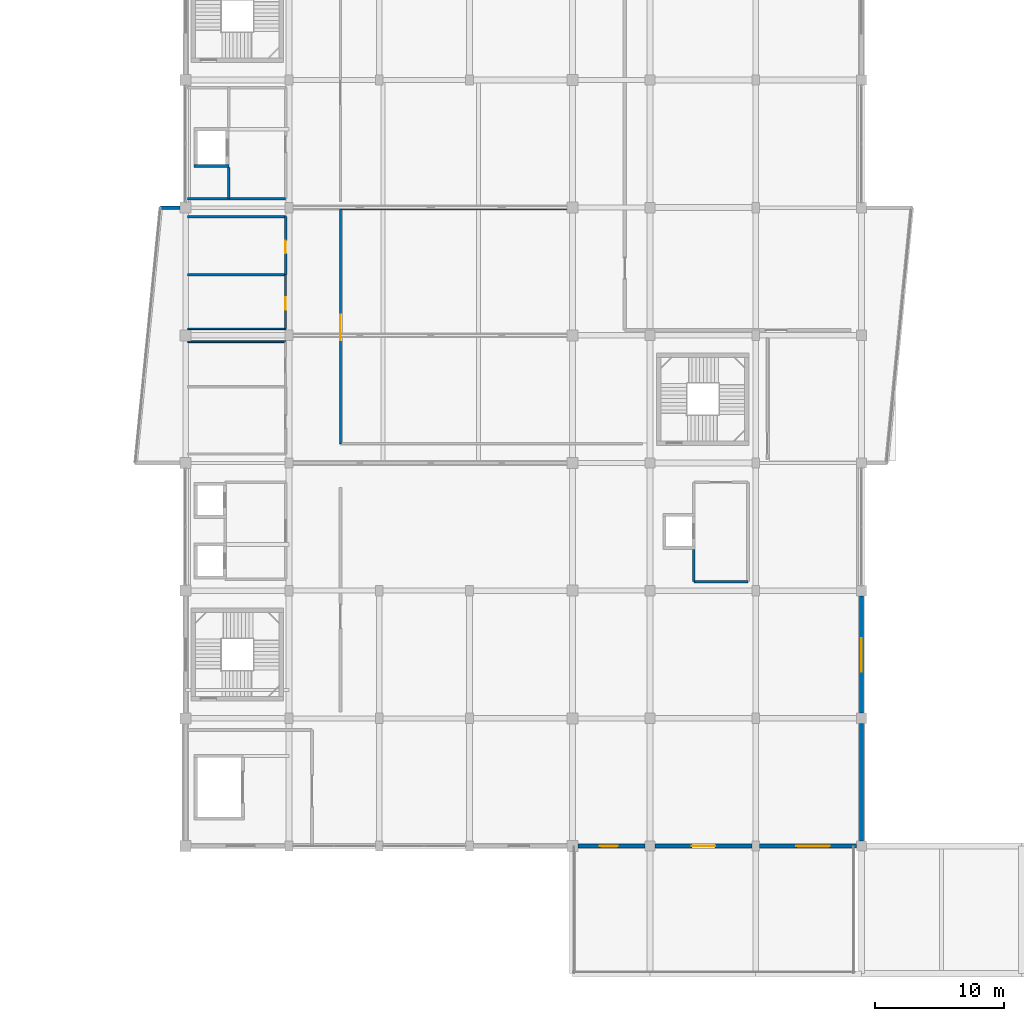
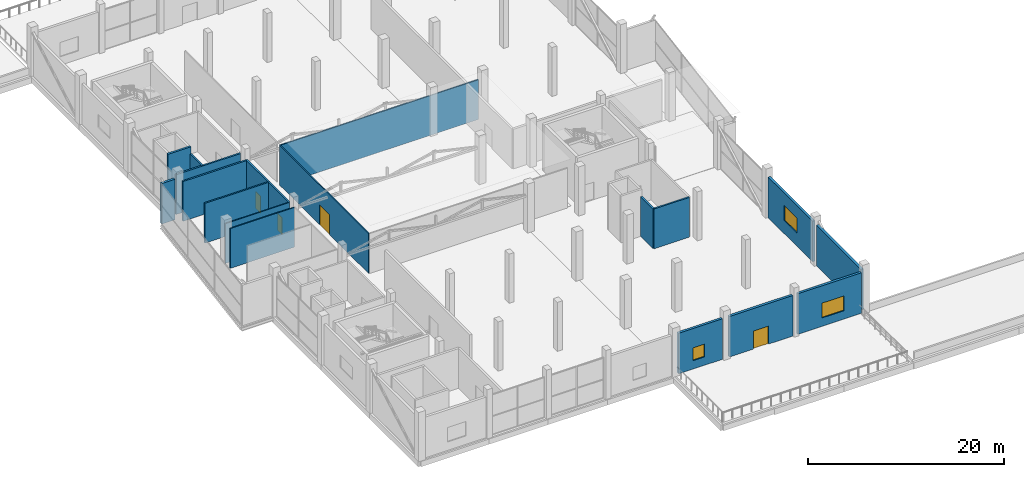
# One storey, part 39 of 58: 19 walls, 4 doors, 3 windows, 7 openings.
"""IFC4 building model written with IfcOpenShell, lengths in metres."""

import ifcopenshell
import ifcopenshell.guid

model = None  # the IFC model being written
_history = None  # IfcOwnerHistory: only IFC2X3 demands one
_inside = {}  # id of a spatial element -> (the spatial element, [elements in it])
_under = {}  # id of a project, library or spatial element -> (it, [spatial elements below it])
_declared = {}  # id of a project -> (the project, [libraries it declares])
_typed = {}  # id of a type object -> (the type object, [elements of that type])
_made_of = {}  # id of a material, layer set ... -> (it, [elements and type objects made of it])


def new_model(schema):
    """Start an empty IFC model of exactly this schema.

    Asked for "IFC4X3", IfcOpenShell would pick the latest addendum, in which some entities
    have other attributes; the version numbers below select the first issue.
    IFC2X3 requires an IfcOwnerHistory on every rooted entity: one is made here for all.
    """
    global model, _history
    if schema == "IFC4X3":
        model = ifcopenshell.file(schema_version=(4, 3, 0, 0))
    else:
        model = ifcopenshell.file(schema=schema)
    _inside.clear()
    _under.clear()
    _declared.clear()
    _typed.clear()
    _made_of.clear()
    _history = None
    if model.schema == "IFC2X3":
        org = make("IfcOrganization", Name="unknown")
        user = make(
            "IfcPersonAndOrganization",
            ThePerson=make("IfcPerson", FamilyName="unknown"),
            TheOrganization=org,
        )
        app = make(
            "IfcApplication",
            ApplicationDeveloper=org,
            Version="unknown",
            ApplicationFullName="unknown",
            ApplicationIdentifier="unknown",
        )
        _history = make(
            "IfcOwnerHistory",
            OwningUser=user,
            OwningApplication=app,
            ChangeAction="ADDED",
            CreationDate=0,
        )
    return model


def make(cls, **values):
    """One entity of the class cls with the attributes given. An attribute that is None is left unset."""
    return model.create_entity(
        cls, **{name: value for name, value in values.items() if value is not None}
    )


def rooted(cls, **values):
    """An entity with a GlobalId (a new one), such as an element, a storey or a relation."""
    return make(cls, GlobalId=ifcopenshell.guid.new(), OwnerHistory=_history, **values)


def si_unit(unit_type, name, prefix=None):
    """IfcSIUnit, for example si_unit("LENGTHUNIT", "METRE", prefix="MILLI")."""
    return make("IfcSIUnit", UnitType=unit_type, Prefix=prefix, Name=name)


def assignment(units):
    """IfcUnitAssignment: the units of a project."""
    return None if units is None else make("IfcUnitAssignment", Units=units)


def point(xyz):
    """IfcCartesianPoint."""
    return None if xyz is None else make("IfcCartesianPoint", Coordinates=xyz)


def direction(xyz):
    """IfcDirection."""
    return None if xyz is None else make("IfcDirection", DirectionRatios=xyz)


def frame(location, z_axis=None, x_axis=None):
    """IfcAxis2Placement3D, a coordinate frame: its origin and axes. An axis left out is left unset."""
    return make(
        "IfcAxis2Placement3D",
        Location=point(location),
        Axis=direction(z_axis),
        RefDirection=direction(x_axis),
    )


def frame_2d(location, x_axis=None):
    """IfcAxis2Placement2D, a coordinate frame in the plane: its origin and x axis."""
    return make(
        "IfcAxis2Placement2D", Location=point(location), RefDirection=direction(x_axis)
    )


def origin():
    """The frame at (0, 0, 0) with its axes left unset."""
    return frame((0.0, 0.0, 0.0))


def place(relative_to, where):
    """IfcLocalPlacement: puts the frame where relative to a parent placement (None: the world)."""
    return make(
        "IfcLocalPlacement", PlacementRelTo=relative_to, RelativePlacement=where
    )


def context(
    kind, dimensions, precision=None, world=None, true_north=None, identifier=None
):
    """IfcGeometricRepresentationContext, for example the 3D "Model" context."""
    return make(
        "IfcGeometricRepresentationContext",
        ContextIdentifier=identifier,
        ContextType=kind,
        CoordinateSpaceDimension=dimensions,
        Precision=precision,
        WorldCoordinateSystem=world,
        TrueNorth=true_north,
    )


def subcontext(parent, identifier, kind, view, scale=None):
    """IfcGeometricRepresentationSubContext, for example "Body" below "Model"."""
    return make(
        "IfcGeometricRepresentationSubContext",
        ContextIdentifier=identifier,
        ContextType=kind,
        ParentContext=parent,
        TargetScale=scale,
        TargetView=view,
    )


def project(units=None, contexts=None):
    """IfcProject with its units and contexts."""
    return rooted(
        "IfcProject",
        Name="project",
        RepresentationContexts=contexts,
        UnitsInContext=assignment(units),
    )


def spatial(cls, under=None, at=None, **own):
    """A site, building, storey or space (cls), placed at a placement, below another one or the project."""
    s = rooted(cls, ObjectPlacement=at, **own)
    if under is not None:
        _under.setdefault(under.id(), (under, []))[1].append(s)
    return s


def profile(cls, at=None, kind="AREA", **sizes):
    """A parametric profile (cls). Its sizes go by their IFC names, for example OverallWidth=200.0."""
    return make(cls, ProfileType=kind, Position=at, **sizes)


def rectangle(**sizes):
    """IfcRectangleProfileDef."""
    return profile("IfcRectangleProfileDef", **sizes)


def extrude(swept, where, along, depth):
    """IfcExtrudedAreaSolid: the profile swept, set in the frame where, extruded along a direction by depth."""
    return make(
        "IfcExtrudedAreaSolid",
        SweptArea=swept,
        Position=where,
        ExtrudedDirection=direction(along),
        Depth=depth,
    )


def shape(context_of_items, identifier, shape_type, items):
    """IfcShapeRepresentation: the items that make up one representation, for example the "Body"."""
    return make(
        "IfcShapeRepresentation",
        ContextOfItems=context_of_items,
        RepresentationIdentifier=identifier,
        RepresentationType=shape_type,
        Items=items,
    )


def material(Name=None, Category=None):
    """IfcMaterial."""
    return make("IfcMaterial", Name=Name, Category=Category)


def layer(
    of_material, thickness, ventilated=None, Name=None, Category=None, Priority=None
):
    """IfcMaterialLayer: one layer of a wall or slab, of a material (None: an air gap)."""
    return make(
        "IfcMaterialLayer",
        Material=of_material,
        LayerThickness=thickness,
        IsVentilated=ventilated,
        Name=Name,
        Category=Category,
        Priority=Priority,
    )


def layer_set(layers, Name=None):
    """IfcMaterialLayerSet."""
    return make("IfcMaterialLayerSet", MaterialLayers=layers, LayerSetName=Name)


def made_of(thing, what):
    """Note that an element or type object is made of a material, layer set ...; save() writes the relation."""
    if what is not None:
        _made_of.setdefault(what.id(), (what, []))[1].append(thing)
    return thing


def type_object(cls, material=None, **own):
    """A type object (cls), such as IfcWallType, which elements share."""
    return made_of(rooted(cls, **own), material)


def element(
    cls,
    number,
    at=None,
    inside=None,
    cuts=None,
    type_object=None,
    material=None,
    context=None,
    identifier="Body",
    shape_type=None,
    held_by="IfcProductDefinitionShape",
    body=None,
    shapes=None,
    **own,
):
    """One element of the class cls, such as IfcWall. Its Tag is "e" and its number.

    at: its placement. inside: the storey or other place that contains it. cuts: it is an
    opening in that element (IfcRelVoidsElement). A single representation is given by context,
    identifier, shape_type and body (its items); several are given by shapes. held_by: the class
    of the entity that holds the representations. save() writes the other relations.
    """
    e = rooted(cls, Tag="e%d" % number, ObjectPlacement=at, **own)
    if body is not None:
        shapes = [shape(context, identifier, shape_type, body)]
    if shapes is not None:
        e.Representation = make(held_by, Representations=shapes)
    if inside is not None:
        _inside.setdefault(inside.id(), (inside, []))[1].append(e)
    if cuts is not None:
        rooted(
            "IfcRelVoidsElement", RelatingBuildingElement=cuts, RelatedOpeningElement=e
        )
    if type_object is not None:
        _typed.setdefault(type_object.id(), (type_object, []))[1].append(e)
    return made_of(e, material)


def fill(opening, filler):
    """IfcRelFillsElement: the door or window that sits in an opening."""
    return rooted(
        "IfcRelFillsElement",
        RelatingOpeningElement=opening,
        RelatedBuildingElement=filler,
    )


def aggregate(whole, parts):
    """IfcRelAggregates: a whole, such as a stair, and the parts it consists of."""
    return rooted("IfcRelAggregates", RelatingObject=whole, RelatedObjects=parts)


def save(model, path):
    """Write the relations noted so far, then the file.

    IfcRelAggregates (storeys below a building ...), IfcRelContainedInSpatialStructure (elements
    in a storey), IfcRelDefinesByType, IfcRelAssociatesMaterial and IfcRelDeclares: one each for
    every whole, place, type object, material and project.
    """
    for whole, parts in _under.values():
        aggregate(whole, parts)
    for where, things in _inside.values():
        rooted(
            "IfcRelContainedInSpatialStructure",
            RelatedElements=things,
            RelatingStructure=where,
        )
    for kind, things in _typed.values():
        rooted("IfcRelDefinesByType", RelatedObjects=things, RelatingType=kind)
    for what, things in _made_of.values():
        rooted("IfcRelAssociatesMaterial", RelatedObjects=things, RelatingMaterial=what)
    for by, libraries in _declared.values():
        rooted("IfcRelDeclares", RelatingContext=by, RelatedDefinitions=libraries)
    model.write(path)


model = new_model("IFC4")

# Units and contexts
model_context = context("Model", 3, precision=1e-05, world=origin(), true_north=direction((0.0, 1.0)))
body_context = subcontext(model_context, "Body", "Model", "MODEL_VIEW")
ifc_project = project(units=[si_unit("LENGTHUNIT", "METRE"), si_unit("AREAUNIT", "SQUARE_METRE"), si_unit("VOLUMEUNIT", "CUBIC_METRE"), si_unit("PLANEANGLEUNIT", "RADIAN"), si_unit("MASSUNIT", "GRAM", prefix="KILO")], contexts=[model_context])

# Site, building, storey
site_placement = place(None, origin())
site = spatial("IfcSite", under=ifc_project, at=site_placement, CompositionType="ELEMENT")
building_placement = place(site_placement, origin())
building = spatial("IfcBuilding", under=site, at=building_placement, Name="Sillaruma Civic Art Gallery", CompositionType="ELEMENT")
storey_placement = place(building_placement, frame((0.0, 0.0, 22.43994140625)))
storey = spatial("IfcBuildingStorey", under=building, at=storey_placement, Name="L04", CompositionType="ELEMENT", Elevation=22.43994140625)

# Wall, opening, window
ifc_material_1 = material(Name="Concrete H35 (35 MPa)", Category="concrete")
ifc_layer_1 = layer(ifc_material_1, 0.159912109375, Name="Concrete backup", Category="concrete")
ifc_material_2 = material(Name="Mineral Wool Thermal Insulation", Category="insulation")
ifc_layer_2 = layer(ifc_material_2, 0.090087890625, Name="Thermal insulation", Category="insulation")
ifc_material_3 = material(Name="Anodised Zinc-Aluminium Alloy", Category="aluminium")
ifc_layer_3 = layer(ifc_material_3, 0.030029296875, Name="Rainscreen finish", Category="aluminium")
ifc_layer_set_1 = layer_set([ifc_layer_1, ifc_layer_2, ifc_layer_3], Name="W-EXT-280")
wall_type_1 = type_object("IfcWallType", Name="WAL-EXT-280", PredefinedType="SOLIDWALL", material=ifc_layer_set_1)
wall_1_placement = place(storey_placement, frame((114.39990234375, 30.10009765625, 0.0), z_axis=(0.0, 0.0, 1.0), x_axis=(0.0, 1.0, 0.0)))
wall_1 = element("IfcWall", 1, at=wall_1_placement, inside=storey, type_object=wall_type_1, Name="Exterior Wall W-EXT-280 (EW-L04-E-2)", PredefinedType="SOLIDWALL", context=body_context, shape_type="SweptSolid", body=[
    extrude(rectangle(XDim=9.099853515625, YDim=0.280029296875, at=frame_2d((4.5498046875, 0.0))), origin(), (0.0, 0.0, 1.0), 5.06005859375),
])
opening_1_placement = place(wall_1_placement, frame((3.199951171875, 0.0, 1.64990234375)))
opening_1 = element("IfcOpeningElement", 2, at=opening_1_placement, cuts=wall_1, Name="Opening WN-08", PredefinedType="OPENING", context=body_context, shape_type="SweptSolid", body=[
    extrude(rectangle(XDim=2.60009765625, YDim=1.85009765625, at=frame_2d((1.300048828125, 0.925048828125))), frame((0.0, 0.14990234375, 0.0), z_axis=(0.0, -1.0, 0.0), x_axis=(1.0, 0.0, 0.0)), (0.0, 0.0, 1.0), 0.300048828125),
])
ifc_material_4 = material(Name="Thermally Broken Extruded Aluminium 6063-T6", Category="aluminium")
window_type_1 = type_object("IfcWindowType", Name="WIN-W08", PartitioningType="SINGLE_PANEL", PredefinedType="WINDOW", material=ifc_material_4)
window_1_placement = place(opening_1_placement, origin())
window_1 = element("IfcWindow", 3, at=window_1_placement, inside=storey, type_object=window_type_1, Name="Window WN-08 (EW-L04-E-2-1)", OverallHeight=1.85009765625, OverallWidth=2.60009765625, PartitioningType="SINGLE_PANEL", PredefinedType="WINDOW", context=body_context, shape_type="SweptSolid", body=[
    extrude(rectangle(XDim=2.60009765625, YDim=1.85009765625, at=frame_2d((1.300048828125, 0.925048828125))), frame((0.0, 0.030029296875, 0.0), z_axis=(0.0, -1.0, 0.0), x_axis=(1.0, 0.0, 0.0)), (0.0, 0.0, 1.0), 0.06005859375),
])
fill(opening_1, window_1)

# Wall
wall_2_placement = place(storey_placement, frame((61.574951171875, 69.300048828125, 0.0), z_axis=(0.0, 0.0, 1.0), x_axis=(-1.0, 0.0, 0.0)))
element("IfcWall", 4, at=wall_2_placement, inside=storey, type_object=wall_type_1, Name="Exterior Wall W-EXT-280 (EW-PRW-L04-W-S1)", PredefinedType="SOLIDWALL", context=body_context, shape_type="SweptSolid", body=[
    extrude(rectangle(XDim=1.52490234375, YDim=0.280029296875, at=frame_2d((0.762451171875, 0.0))), origin(), (0.0, 0.0, 1.0), 5.06005859375),
])

# Wall, opening, window
ifc_layer_4 = layer(ifc_material_1, 0.169921875, Name="Concrete backup", Category="concrete")
ifc_layer_5 = layer(ifc_material_2, 0.090087890625, Name="Thermal insulation", Category="insulation")
ifc_layer_6 = layer(ifc_material_3, 0.030029296875, Name="Rainscreen finish", Category="aluminium")
ifc_layer_set_2 = layer_set([ifc_layer_4, ifc_layer_5, ifc_layer_6], Name="W-EXT-290")
wall_type_2 = type_object("IfcWallType", Name="WAL-EXT-290", PredefinedType="SOLIDWALL", material=ifc_layer_set_2)
wall_3_placement = place(storey_placement, frame((92.425048828125, 19.800048828125, 0.0), z_axis=(0.0, 0.0, 1.0), x_axis=(1.0, 0.0, 0.0)))
wall_3 = element("IfcWall", 5, at=wall_3_placement, inside=storey, type_object=wall_type_2, Name="Exterior Wall W-EXT-290 (EW-L04-S-5)", PredefinedType="SOLIDWALL", context=body_context, shape_type="SweptSolid", body=[
    extrude(rectangle(XDim=5.175048828125, YDim=0.2900390625, at=frame_2d((2.58740234375, 0.0))), origin(), (0.0, 0.0, 1.0), 5.06005859375),
])
opening_2_placement = place(wall_3_placement, frame((1.68798828125, 0.0, 1.050048828125)))
opening_2 = element("IfcOpeningElement", 6, at=opening_2_placement, cuts=wall_3, Name="Opening WN-06", PredefinedType="OPENING", context=body_context, shape_type="SweptSolid", body=[
    extrude(rectangle(XDim=1.39990234375, YDim=1.60009765625, at=frame_2d((0.699951171875, 0.800048828125))), frame((0.0, 0.155029296875, 0.0), z_axis=(0.0, -1.0, 0.0), x_axis=(1.0, 0.0, 0.0)), (0.0, 0.0, 1.0), 0.31005859375),
])
window_type_2 = type_object("IfcWindowType", Name="WIN-W06", PartitioningType="SINGLE_PANEL", PredefinedType="WINDOW", material=ifc_material_4)
window_2_placement = place(opening_2_placement, origin())
window_2 = element("IfcWindow", 7, at=window_2_placement, inside=storey, type_object=window_type_2, Name="Window WN-06 (EW-L04-S-5-1)", OverallHeight=1.60009765625, OverallWidth=1.39990234375, PartitioningType="SINGLE_PANEL", PredefinedType="WINDOW", context=body_context, shape_type="SweptSolid", body=[
    extrude(rectangle(XDim=1.39990234375, YDim=1.60009765625, at=frame_2d((0.699951171875, 0.800048828125))), frame((0.0, 0.030029296875, 0.0), z_axis=(0.0, -1.0, 0.0), x_axis=(1.0, 0.0, 0.0)), (0.0, 0.0, 1.0), 0.06005859375),
])
fill(opening_2, window_2)

wall_4_placement = place(storey_placement, frame((106.5, 19.800048828125, 0.0), z_axis=(0.0, 0.0, 1.0), x_axis=(1.0, 0.0, 0.0)))
wall_4 = element("IfcWall", 8, at=wall_4_placement, inside=storey, type_object=wall_type_2, Name="Exterior Wall W-EXT-290 (EW-L04-S-7)", PredefinedType="SOLIDWALL", context=body_context, shape_type="SweptSolid", body=[
    extrude(rectangle(XDim=7.5, YDim=0.2900390625, at=frame_2d((3.75, 0.0))), origin(), (0.0, 0.0, 1.0), 5.06005859375),
])
opening_3_placement = place(wall_4_placement, frame((2.85009765625, 0.0, 1.050048828125)))
opening_3 = element("IfcOpeningElement", 9, at=opening_3_placement, cuts=wall_4, Name="Opening WN-08", PredefinedType="OPENING", context=body_context, shape_type="SweptSolid", body=[
    extrude(rectangle(XDim=2.60009765625, YDim=1.85009765625, at=frame_2d((1.300048828125, 0.925048828125))), frame((0.0, 0.155029296875, 0.0), z_axis=(0.0, -1.0, 0.0), x_axis=(1.0, 0.0, 0.0)), (0.0, 0.0, 1.0), 0.31005859375),
])
window_3_placement = place(opening_3_placement, origin())
window_3 = element("IfcWindow", 10, at=window_3_placement, inside=storey, type_object=window_type_1, Name="Window WN-08 (EW-L04-S-7-1)", OverallHeight=1.85009765625, OverallWidth=2.60009765625, PartitioningType="SINGLE_PANEL", PredefinedType="WINDOW", context=body_context, shape_type="SweptSolid", body=[
    extrude(rectangle(XDim=2.60009765625, YDim=1.85009765625, at=frame_2d((1.300048828125, 0.925048828125))), frame((0.0, 0.030029296875, 0.0), z_axis=(0.0, -1.0, 0.0), x_axis=(1.0, 0.0, 0.0)), (0.0, 0.0, 1.0), 0.06005859375),
])
fill(opening_3, window_3)

# Wall
ifc_material_5 = material(Name="Precast Concrete H35 (35 MPa)", Category="concrete")
ifc_layer_7 = layer(ifc_material_5, 0.179931640625, Name="Precast backup", Category="concrete")
ifc_layer_8 = layer(ifc_material_2, 0.090087890625, Name="Thermal insulation", Category="insulation")
ifc_material_6 = material(Name="Comanche Granitic Ashlar Stone", Category="masonry")
ifc_layer_9 = layer(ifc_material_6, 0.030029296875, Name="Rainscreen cladding", Category="masonry")
ifc_layer_set_3 = layer_set([ifc_layer_7, ifc_layer_8, ifc_layer_9], Name="W-EXT-300")
wall_type_3 = type_object("IfcWallType", Name="WAL-EXT-300", PredefinedType="SOLIDWALL", material=ifc_layer_set_3)
wall_5_placement = place(storey_placement, frame((114.39990234375, 20.199951171875, 0.0), z_axis=(0.0, 0.0, 1.0), x_axis=(0.0, 1.0, 0.0)))
element("IfcWall", 11, at=wall_5_placement, inside=storey, type_object=wall_type_3, Name="Exterior Wall W-EXT-300 (EW-L04-E-1)", PredefinedType="SOLIDWALL", context=body_context, shape_type="SweptSolid", body=[
    extrude(rectangle(XDim=9.10009765625, YDim=0.300048828125, at=frame_2d((4.550048828125, 0.0))), origin(), (0.0, 0.0, 1.0), 5.06005859375),
])

# Wall, opening, door
wall_6_placement = place(storey_placement, frame((98.39990234375, 19.800048828125, 0.0), z_axis=(0.0, 0.0, 1.0), x_axis=(1.0, 0.0, 0.0)))
wall_6 = element("IfcWall", 12, at=wall_6_placement, inside=storey, type_object=wall_type_3, Name="Exterior Wall W-EXT-300 (EW-L04-S-6)", PredefinedType="SOLIDWALL", context=body_context, shape_type="SweptSolid", body=[
    extrude(rectangle(XDim=7.5, YDim=0.300048828125, at=frame_2d((3.75, 0.0))), origin(), (0.0, 0.0, 1.0), 5.06005859375),
])
opening_4_placement = place(wall_6_placement, frame((2.85009765625, 0.0, 0.0)))
opening_4 = element("IfcOpeningElement", 13, at=opening_4_placement, cuts=wall_6, Name="Opening D-TER1", PredefinedType="OPENING", context=body_context, shape_type="SweptSolid", body=[
    extrude(rectangle(XDim=1.800048828125, YDim=2.25, at=frame_2d((0.89990234375, 1.125))), frame((0.0, 0.159912109375, 0.0), z_axis=(0.0, -1.0, 0.0), x_axis=(1.0, 0.0, 0.0)), (0.0, 0.0, 1.0), 0.320068359375),
])
door_type_1 = type_object("IfcDoorType", Name="DOR-TER-180", OperationType="NOTDEFINED", PredefinedType="DOOR", material=ifc_material_4)
door_1_placement = place(opening_4_placement, frame((1.800048828125, 0.0, 0.0), z_axis=(0.0, 0.0, 1.0), x_axis=(-1.0, 0.0, 0.0)))
door_1 = element("IfcDoor", 14, at=door_1_placement, inside=storey, type_object=door_type_1, Name="L04 South Sculpture Terrace Door", OperationType="DOUBLE_DOOR_SINGLE_SWING", OverallHeight=2.25, OverallWidth=1.800048828125, PredefinedType="DOOR", context=body_context, shape_type="SweptSolid", body=[
    extrude(rectangle(XDim=1.800048828125, YDim=2.25, at=frame_2d((0.89990234375, 1.125))), frame((0.0, 0.02490234375, 0.0), z_axis=(0.0, -1.0, 0.0), x_axis=(1.0, 0.0, 0.0)), (0.0, 0.0, 1.0), 0.050048828125),
])
fill(opening_4, door_1)

# Walls
ifc_material_7 = material(Name="Concrete Masonry Unit Grade M15", Category="masonry")
ifc_layer_10 = layer(ifc_material_7, 0.199951171875, Name="Concrete Masonry Unit Grade M15")
ifc_layer_set_4 = layer_set([ifc_layer_10], Name="Concrete Masonry Unit Grade M15")
wall_type_4 = type_object("IfcWallType", Name="WAL-LOBBY-200", PredefinedType="SOLIDWALL", material=ifc_layer_set_4)
wall_7_placement = place(storey_placement, frame((62.14990234375, 70.0, 0.0), z_axis=(0.0, 0.0, 1.0), x_axis=(1.0, 0.0, 0.0)))
element("IfcWall", 15, at=wall_7_placement, inside=storey, type_object=wall_type_4, Name="Interior Wall W-LOBBY-200 (L04-FFL)", PredefinedType="SOLIDWALL", context=body_context, shape_type="SweptSolid", body=[
    extrude(rectangle(XDim=7.60009765625, YDim=0.199951171875, at=frame_2d((3.800048828125, 0.0))), origin(), (0.0, 0.0, 1.0), 4.9599609375),
])
wall_8_placement = place(storey_placement, frame((65.35009765625, 70.0, 0.0), z_axis=(0.0, 0.0, 1.0), x_axis=(0.0, 1.0, 0.0)))
element("IfcWall", 16, at=wall_8_placement, inside=storey, type_object=wall_type_4, Name="Interior Wall W-LOBBY-200 (L04-FFL)", PredefinedType="SOLIDWALL", context=body_context, shape_type="SweptSolid", body=[
    extrude(rectangle(XDim=2.39990234375, YDim=0.199951171875, at=frame_2d((1.199951171875, 0.0))), origin(), (0.0, 0.0, 1.0), 4.9599609375),
])
wall_9_placement = place(storey_placement, frame((62.14990234375, 68.60009765625, 0.0), z_axis=(0.0, 0.0, 1.0), x_axis=(1.0, 0.0, 0.0)))
element("IfcWall", 17, at=wall_9_placement, inside=storey, type_object=wall_type_4, Name="Interior Wall W-LOBBY-200 (L04-RSR)", PredefinedType="SOLIDWALL", context=body_context, shape_type="SweptSolid", body=[
    extrude(rectangle(XDim=7.60009765625, YDim=0.199951171875, at=frame_2d((3.800048828125, 0.0))), origin(), (0.0, 0.0, 1.0), 4.9599609375),
])

# Wall, opening, door
wall_10_placement = place(storey_placement, frame((69.75, 64.10009765625, 0.0), z_axis=(0.0, 0.0, 1.0), x_axis=(0.0, 1.0, 0.0)))
wall_10 = element("IfcWall", 18, at=wall_10_placement, inside=storey, type_object=wall_type_4, Name="Interior Wall W-LOBBY-200 (L04-RSR)", PredefinedType="SOLIDWALL", context=body_context, shape_type="SweptSolid", body=[
    extrude(rectangle(XDim=4.5, YDim=0.199951171875, at=frame_2d((2.25, 0.0))), origin(), (0.0, 0.0, 1.0), 4.9599609375),
])
opening_5_placement = place(wall_10_placement, frame((1.64990234375, 0.0, 0.0)))
opening_5 = element("IfcOpeningElement", 19, at=opening_5_placement, cuts=wall_10, Name="Opening D-RISER", PredefinedType="OPENING", context=body_context, shape_type="SweptSolid", body=[
    extrude(rectangle(XDim=1.0, YDim=2.14990234375, at=frame_2d((0.5, 1.074951171875))), frame((0.0, 0.10986328125, 0.0), z_axis=(0.0, -1.0, 0.0), x_axis=(1.0, 0.0, 0.0)), (0.0, 0.0, 1.0), 0.219970703125),
])
ifc_material_8 = material(Name="Galvanised Steel ASTM A653 Gr.50", Category="steel")
door_type_2 = type_object("IfcDoorType", Name="DOR-RISER-100", OperationType="NOTDEFINED", PredefinedType="DOOR", material=ifc_material_8)
door_2_placement = place(opening_5_placement, origin())
door_2 = element("IfcDoor", 20, at=door_2_placement, inside=storey, type_object=door_type_2, Name="MEP Service Riser Door (D-RISER)", OperationType="SINGLE_SWING_LEFT", OverallHeight=2.14990234375, OverallWidth=1.0, PredefinedType="DOOR", context=body_context, shape_type="SweptSolid", body=[
    extrude(rectangle(XDim=1.0, YDim=2.14990234375, at=frame_2d((0.5, 1.074951171875))), frame((0.0, 0.02490234375, 0.0), z_axis=(0.0, -1.0, 0.0), x_axis=(1.0, 0.0, 0.0)), (0.0, 0.0, 1.0), 0.050048828125),
])
fill(opening_5, door_2)

# Walls
wall_11_placement = place(storey_placement, frame((101.39990234375, 40.300048828125, 0.0), z_axis=(0.0, 0.0, 1.0), x_axis=(1.0, 0.0, 0.0)))
element("IfcWall", 21, at=wall_11_placement, inside=storey, type_object=wall_type_4, Name="Interior Wall W-LOBBY-200 (L04-LLE)", PredefinedType="SOLIDWALL", context=body_context, shape_type="SweptSolid", body=[
    extrude(rectangle(XDim=4.2001953125, YDim=0.199951171875, at=frame_2d((2.10009765625, 0.0))), origin(), (0.0, 0.0, 1.0), 4.9599609375),
])
wall_12_placement = place(storey_placement, frame((101.39990234375, 40.300048828125, 0.0), z_axis=(0.0, 0.0, 1.0), x_axis=(0.0, 1.0, 0.0)))
element("IfcWall", 22, at=wall_12_placement, inside=storey, type_object=wall_type_4, Name="Interior Wall W-LOBBY-200 (L04-LLE)", PredefinedType="SOLIDWALL", context=body_context, shape_type="SweptSolid", body=[
    extrude(rectangle(XDim=2.5, YDim=0.199951171875, at=frame_2d((1.25, 0.0))), origin(), (0.0, 0.0, 1.0), 4.9599609375),
])
ifc_material_9 = material(Name="Gypsum Acoustic Board", Category="gypsum")
ifc_layer_11 = layer(ifc_material_9, 0.02490234375, Name="Finish board", Category="gypsum")
ifc_layer_12 = layer(ifc_material_2, 0.06005859375, Name="Acoustic core", Category="insulation")
ifc_material_10 = material(Name="Andean Oak Timber", Category="wood")
ifc_layer_13 = layer(ifc_material_10, 0.02490234375, Name="Gallery lining", Category="wood")
ifc_layer_set_5 = layer_set([ifc_layer_11, ifc_layer_12, ifc_layer_13], Name="W-PT-110")
wall_type_5 = type_object("IfcWallType", Name="WAL-PART-110", PredefinedType="PARTITIONING", material=ifc_layer_set_5)
wall_13_placement = place(storey_placement, frame((62.14990234375, 59.89990234375, 0.0), z_axis=(0.0, 0.0, 1.0), x_axis=(1.0, 0.0, 0.0)))
element("IfcWall", 23, at=wall_13_placement, inside=storey, type_object=wall_type_5, Name="Interior Wall W-PT-110 (L04-CLN)", PredefinedType="PARTITIONING", context=body_context, shape_type="SweptSolid", body=[
    extrude(rectangle(XDim=7.60009765625, YDim=0.110107421875, at=frame_2d((3.800048828125, 0.0))), origin(), (0.0, 0.0, 1.0), 4.9599609375),
])
ifc_layer_14 = layer(ifc_material_9, 0.02490234375, Name="Finish board", Category="gypsum")
ifc_layer_15 = layer(ifc_material_2, 0.080078125, Name="Acoustic core", Category="insulation")
ifc_layer_16 = layer(ifc_material_10, 0.02490234375, Name="Gallery lining", Category="wood")
ifc_layer_set_6 = layer_set([ifc_layer_14, ifc_layer_15, ifc_layer_16], Name="W-PT-130")
wall_type_6 = type_object("IfcWallType", Name="WAL-PART-130", PredefinedType="PARTITIONING", material=ifc_layer_set_6)
wall_14_placement = place(storey_placement, frame((62.14990234375, 58.89990234375, 0.0), z_axis=(0.0, 0.0, 1.0), x_axis=(1.0, 0.0, 0.0)))
element("IfcWall", 24, at=wall_14_placement, inside=storey, type_object=wall_type_6, Name="Interior Wall W-PT-130 (L04-WCA)", PredefinedType="PARTITIONING", context=body_context, shape_type="SweptSolid", body=[
    extrude(rectangle(XDim=7.60009765625, YDim=0.1298828125, at=frame_2d((3.800048828125, 0.0))), origin(), (0.0, 0.0, 1.0), 4.9599609375),
])

# Wall, opening, door
wall_15_placement = place(storey_placement, frame((74.0, 51.0, 0.0), z_axis=(0.0, 0.0, 1.0), x_axis=(0.0, 1.0, 0.0)))
wall_15 = element("IfcWall", 25, at=wall_15_placement, inside=storey, type_object=wall_type_6, Name="Interior Wall W-PT-130 (L04-GAL41)", PredefinedType="PARTITIONING", context=body_context, shape_type="SweptSolid", body=[
    extrude(rectangle(XDim=18.199951171875, YDim=0.1298828125, at=frame_2d((9.10009765625, 0.0))), origin(), (0.0, 0.0, 1.0), 4.9599609375),
])
opening_6_placement = place(wall_15_placement, frame((8.0, 0.0, 0.0)))
opening_6 = element("IfcOpeningElement", 26, at=opening_6_placement, cuts=wall_15, Name="Opening D-GAL20", PredefinedType="OPENING", context=body_context, shape_type="SweptSolid", body=[
    extrude(rectangle(XDim=2.0, YDim=2.5, at=frame_2d((1.0, 1.25))), frame((0.0, 0.074951171875, 0.0), z_axis=(0.0, -1.0, 0.0), x_axis=(1.0, 0.0, 0.0)), (0.0, 0.0, 1.0), 0.14990234375),
])
door_type_3 = type_object("IfcDoorType", Name="DOR-GAL-200", OperationType="NOTDEFINED", PredefinedType="DOOR", material=ifc_material_10)
door_3_placement = place(opening_6_placement, origin())
door_3 = element("IfcDoor", 27, at=door_3_placement, inside=storey, type_object=door_type_3, Name="High-Clearance Truss Gallery Door (D-GAL20)", OperationType="DOUBLE_DOOR_SINGLE_SWING", OverallHeight=2.5, OverallWidth=2.0, PredefinedType="DOOR", context=body_context, shape_type="SweptSolid", body=[
    extrude(rectangle(XDim=2.0, YDim=2.5, at=frame_2d((1.0, 1.25))), frame((0.0, 0.02490234375, 0.0), z_axis=(0.0, -1.0, 0.0), x_axis=(1.0, 0.0, 0.0)), (0.0, 0.0, 1.0), 0.050048828125),
])
fill(opening_6, door_3)

# Wall
ifc_layer_17 = layer(ifc_material_9, 0.02490234375, Name="Finish board", Category="gypsum")
ifc_layer_18 = layer(ifc_material_2, 0.090087890625, Name="Acoustic core", Category="insulation")
ifc_layer_19 = layer(ifc_material_10, 0.02490234375, Name="Gallery lining", Category="wood")
ifc_layer_set_7 = layer_set([ifc_layer_17, ifc_layer_18, ifc_layer_19], Name="W-PT-140")
wall_type_7 = type_object("IfcWallType", Name="WAL-PART-140", PredefinedType="PARTITIONING", material=ifc_layer_set_7)
wall_16_placement = place(storey_placement, frame((74.0, 69.199951171875, 0.0), z_axis=(0.0, 0.0, 1.0), x_axis=(1.0, 0.0, 0.0)))
element("IfcWall", 28, at=wall_16_placement, inside=storey, type_object=wall_type_7, Name="Interior Wall W-PT-140 (L04-GAL41)", PredefinedType="PARTITIONING", context=body_context, shape_type="SweptSolid", body=[
    extrude(rectangle(XDim=23.39990234375, YDim=0.139892578125, at=frame_2d((11.699951171875, 0.0))), origin(), (0.0, 0.0, 1.0), 4.9599609375),
])

# Wall, opening, door
ifc_layer_20 = layer(ifc_material_9, 0.02490234375, Name="Finish board", Category="gypsum")
ifc_layer_21 = layer(ifc_material_2, 0.114990234375, Name="Acoustic core", Category="insulation")
ifc_layer_22 = layer(ifc_material_10, 0.02490234375, Name="Gallery lining", Category="wood")
ifc_layer_set_8 = layer_set([ifc_layer_20, ifc_layer_21, ifc_layer_22], Name="W-PT-165")
wall_type_8 = type_object("IfcWallType", Name="WAL-PART-165", PredefinedType="PARTITIONING", material=ifc_layer_set_8)
wall_17_placement = place(storey_placement, frame((69.75, 59.89990234375, 0.0), z_axis=(0.0, 0.0, 1.0), x_axis=(0.0, 1.0, 0.0)))
wall_17 = element("IfcWall", 29, at=wall_17_placement, inside=storey, type_object=wall_type_8, Name="Interior Wall W-PT-165 (L04-CLN)", PredefinedType="PARTITIONING", context=body_context, shape_type="SweptSolid", body=[
    extrude(rectangle(XDim=4.2001953125, YDim=0.1650390625, at=frame_2d((2.10009765625, 0.0))), origin(), (0.0, 0.0, 1.0), 4.9599609375),
])
opening_7_placement = place(wall_17_placement, frame((1.5, 0.0, 0.0)))
opening_7 = element("IfcOpeningElement", 30, at=opening_7_placement, cuts=wall_17, Name="Opening D-SVC09", PredefinedType="OPENING", context=body_context, shape_type="SweptSolid", body=[
    extrude(rectangle(XDim=0.949951171875, YDim=2.10009765625, at=frame_2d((0.47509765625, 1.050048828125))), frame((0.0, 0.092529296875, 0.0), z_axis=(0.0, -1.0, 0.0), x_axis=(1.0, 0.0, 0.0)), (0.0, 0.0, 1.0), 0.18505859375),
])
door_type_4 = type_object("IfcDoorType", Name="DOR-SVC-095", OperationType="NOTDEFINED", PredefinedType="DOOR", material=ifc_material_10)
door_4_placement = place(opening_7_placement, origin())
door_4 = element("IfcDoor", 31, at=door_4_placement, inside=storey, type_object=door_type_4, Name="Cleaner Store Door (D-SVC09)", OperationType="SINGLE_SWING_RIGHT", OverallHeight=2.10009765625, OverallWidth=0.949951171875, PredefinedType="DOOR", context=body_context, shape_type="SweptSolid", body=[
    extrude(rectangle(XDim=0.949951171875, YDim=2.10009765625, at=frame_2d((0.47509765625, 1.050048828125))), frame((0.0, 0.02490234375, 0.0), z_axis=(0.0, -1.0, 0.0), x_axis=(1.0, 0.0, 0.0)), (0.0, 0.0, 1.0), 0.050048828125),
])
fill(opening_7, door_4)

# Walls
ifc_layer_23 = layer(ifc_material_9, 0.02490234375, Name="Finish board", Category="gypsum")
ifc_layer_24 = layer(ifc_material_2, 0.1298828125, Name="Acoustic core", Category="insulation")
ifc_layer_25 = layer(ifc_material_10, 0.02490234375, Name="Gallery lining", Category="wood")
ifc_layer_set_9 = layer_set([ifc_layer_23, ifc_layer_24, ifc_layer_25], Name="W-PT-180")
wall_type_9 = type_object("IfcWallType", Name="WAL-PART-180", PredefinedType="PARTITIONING", material=ifc_layer_set_9)
wall_18_placement = place(storey_placement, frame((62.14990234375, 64.10009765625, 0.0), z_axis=(0.0, 0.0, 1.0), x_axis=(1.0, 0.0, 0.0)))
element("IfcWall", 32, at=wall_18_placement, inside=storey, type_object=wall_type_9, Name="Interior Wall W-PT-180 (L04-CLN)", PredefinedType="PARTITIONING", context=body_context, shape_type="SweptSolid", body=[
    extrude(rectangle(XDim=7.60009765625, YDim=0.179931640625, at=frame_2d((3.800048828125, 0.0))), origin(), (0.0, 0.0, 1.0), 4.9599609375),
])
ifc_material_11 = material(Name="Concrete H40 (40 MPa)", Category="concrete")
ifc_layer_26 = layer(ifc_material_11, 0.25, Name="Concrete H40 (40 MPa)")
ifc_layer_set_10 = layer_set([ifc_layer_26], Name="Concrete H40 (40 MPa)")
wall_type_10 = type_object("IfcWallType", Name="WAL-SHAFT-250", PredefinedType="SOLIDWALL", material=ifc_layer_set_10)
wall_19_placement = place(storey_placement, frame((62.64990234375, 72.52490234375, 0.0), z_axis=(0.0, 0.0, 1.0), x_axis=(1.0, 0.0, 0.0)))
element("IfcWall", 33, at=wall_19_placement, inside=storey, type_object=wall_type_10, Name="Lift Shaft Wall W-SHAFT-250 (FFL-01:L04:S)", PredefinedType="SOLIDWALL", context=body_context, shape_type="SweptSolid", body=[
    extrude(rectangle(XDim=2.7001953125, YDim=0.25, at=frame_2d((1.35009765625, 0.0))), origin(), (0.0, 0.0, 1.0), 5.820068359375),
])

save(model, "model.ifc")
